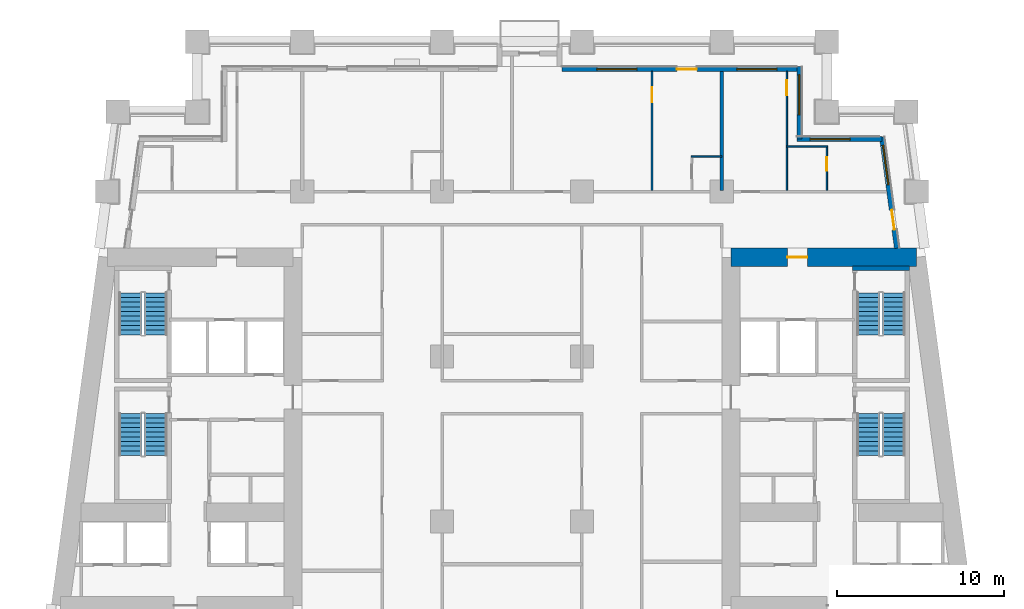
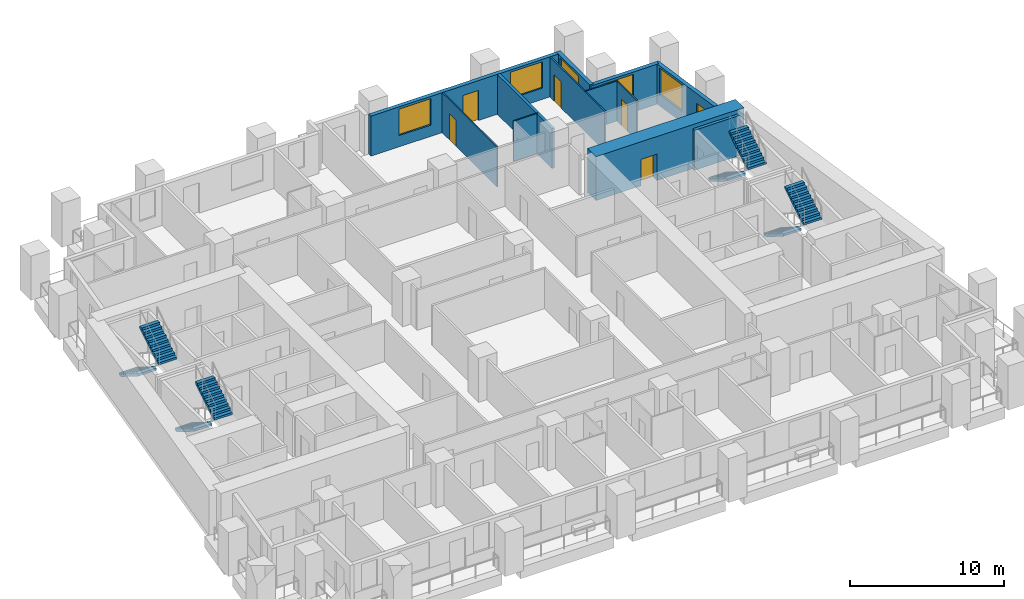
# One storey, part 7 of 12: 12 walls, 8 stair flights, 6 doors, 5 windows, 11 openings, 4 elements without a shape of their own.
"""IFC4 building model written with IfcOpenShell, lengths in metres."""

from ifc_helpers import new_model, si_unit, direction, frame, frame_2d, origin, place, context, subcontext, project, spatial, polyline, rectangle, outline, extrude, material, layer, layer_set, type_object, element, fill, aggregate, save


model = new_model("IFC4")

# Units and contexts
model_context = context("Model", 3, precision=1e-05, world=origin(), true_north=direction((0.0, 1.0)))
body_context = subcontext(model_context, "Body", "Model", "MODEL_VIEW")
ifc_project = project(units=[si_unit("LENGTHUNIT", "METRE"), si_unit("AREAUNIT", "SQUARE_METRE"), si_unit("VOLUMEUNIT", "CUBIC_METRE"), si_unit("PLANEANGLEUNIT", "RADIAN"), si_unit("MASSUNIT", "GRAM", prefix="KILO")], contexts=[model_context])

# Site, building, storey
site_placement = place(None, origin())
site = spatial("IfcSite", under=ifc_project, at=site_placement, CompositionType="ELEMENT")
building_placement = place(site_placement, origin())
building = spatial("IfcBuilding", under=site, at=building_placement, Name="Candeia Pilgrim Tower and Theatre", CompositionType="ELEMENT")
storey_placement = place(building_placement, frame((0.0, 0.0, 42.5)))
storey = spatial("IfcBuildingStorey", under=building, at=storey_placement, Name="L07", CompositionType="ELEMENT", Elevation=42.5)

# Wall, opening, door
ifc_material_1 = material(Name="Concrete C80/95", Category="concrete")
ifc_layer_1 = layer(ifc_material_1, 1.10009765625)
ifc_layer_set_1 = layer_set([ifc_layer_1], Name="Core wall 1100 C80/95")
wall_type_1 = type_object("IfcWallType", Name="Core wall 1100 C80/95", PredefinedType="SHEAR", material=ifc_layer_set_1)
wall_1_placement = place(storey_placement, frame((126.550048828125, 131.85009765625, 0.0), z_axis=(0.0, 0.0, 1.0), x_axis=(1.0, 0.0, 0.0)))
wall_1 = element("IfcWall", 1, at=wall_1_placement, inside=storey, type_object=wall_type_1, Name="Core wall E1", PredefinedType="SHEAR", context=body_context, shape_type="SweptSolid", body=[
    extrude(rectangle(XDim=11.13818359375, YDim=1.10009765625, at=frame_2d((5.569091796875, 0.0))), origin(), (0.0, 0.0, 1.0), 3.5),
])
opening_1_placement = place(wall_1_placement, frame((3.386474609375, 0.0, 0.0)))
opening_1 = element("IfcOpeningElement", 2, at=opening_1_placement, cuts=wall_1, Name="Opening L07-D059", PredefinedType="OPENING", context=body_context, shape_type="SweptSolid", body=[
    extrude(rectangle(XDim=1.199951171875, YDim=2.10009765625, at=frame_2d((0.60009765625, 1.050048828125))), frame((0.0, 0.56005859375, 0.0), z_axis=(0.0, -1.0, 0.0), x_axis=(1.0, 0.0, 0.0)), (0.0, 0.0, 1.0), 1.1201171875),
])
ifc_material_2 = material(Name="Steel fire door set", Category="steel")
door_type_1 = type_object("IfcDoorType", Name="D-1200-FD60", OperationType="NOTDEFINED", PredefinedType="DOOR", material=ifc_material_2)
door_1_placement = place(opening_1_placement, origin())
door_1 = element("IfcDoor", 3, at=door_1_placement, inside=storey, type_object=door_type_1, Name="Door L07-D059", OperationType="SINGLE_SWING_RIGHT", OverallHeight=2.10009765625, OverallWidth=1.199951171875, PredefinedType="DOOR", context=body_context, shape_type="SweptSolid", body=[
    extrude(rectangle(XDim=1.199951171875, YDim=2.10009765625, at=frame_2d((0.60009765625, 1.050048828125))), frame((0.0, 0.02490234375, 0.0), z_axis=(0.0, -1.0, 0.0), x_axis=(1.0, 0.0, 0.0)), (0.0, 0.0, 1.0), 0.050048828125),
])
fill(opening_1, door_1)

# Wall, openings, door, window
ifc_material_3 = material(Name="Ceramic block masonry", Category="masonry")
ifc_layer_2 = layer(ifc_material_3, 0.300048828125)
ifc_layer_set_2 = layer_set([ifc_layer_2], Name="EW1 glazing-line wall 300")
wall_type_2 = type_object("IfcWallType", Name="EW1 glazing-line wall 300", PredefinedType="SOLIDWALL", material=ifc_layer_set_2)
wall_2_placement = place(storey_placement, frame((136.50439453125, 132.39990234375, 0.0), z_axis=(0.0, 0.0, 1.0), x_axis=(-0.133399697462, 0.99106231929, 0.0)))
wall_2 = element("IfcWall", 4, at=wall_2_placement, inside=storey, type_object=wall_type_2, Name="External wall L07-3.1", PredefinedType="SOLIDWALL", context=body_context, shape_type="SweptSolid", body=[
    extrude(rectangle(XDim=6.740478515625, YDim=0.300048828125, at=frame_2d((3.3701171875, 0.0))), origin(), (0.0, 0.0, 1.0), 3.179931640625),
])
opening_2_placement = place(wall_2_placement, frame((1.115234375, 0.0, 0.0)))
opening_2 = element("IfcOpeningElement", 5, at=opening_2_placement, cuts=wall_2, Name="Opening L07-ED094", PredefinedType="OPENING", context=body_context, shape_type="SweptSolid", body=[
    extrude(rectangle(XDim=1.199951171875, YDim=2.39990234375, at=frame_2d((0.60009765625, 1.199951171875))), frame((0.0, 0.16015625, 0.0), z_axis=(0.0, -1.0, 0.0), x_axis=(1.0, 0.0, 0.0)), (0.0, 0.0, 1.0), 0.320068359375),
])
opening_3_placement = place(wall_2_placement, frame((3.83544921875, 0.0, 0.89990234375)))
opening_3 = element("IfcOpeningElement", 6, at=opening_3_placement, cuts=wall_2, Name="Opening W-A", PredefinedType="OPENING", context=body_context, shape_type="SweptSolid", body=[
    extrude(rectangle(XDim=2.39990234375, YDim=2.10009765625, at=frame_2d((1.199951171875, 1.050048828125))), frame((0.0, 0.16015625, 0.0), z_axis=(0.0, -1.0, 0.0), x_axis=(1.0, 0.0, 0.0)), (0.0, 0.0, 1.0), 0.320068359375),
])
ifc_material_4 = material(Name="Aluminium framed glazed door", Category="aluminium")
door_type_2 = type_object("IfcDoorType", Name="Loggia door 1200x2400", OperationType="DOUBLE_DOOR_SINGLE_SWING", PredefinedType="DOOR", material=ifc_material_4)
door_2_placement = place(opening_2_placement, origin())
door_2 = element("IfcDoor", 7, at=door_2_placement, inside=storey, type_object=door_type_2, Name="Loggia door L07-ED094", OperationType="DOUBLE_DOOR_SINGLE_SWING", OverallHeight=2.39990234375, OverallWidth=1.199951171875, PredefinedType="DOOR", context=body_context, shape_type="SweptSolid", body=[
    extrude(rectangle(XDim=1.199951171875, YDim=2.39990234375, at=frame_2d((0.60009765625, 1.199951171875))), frame((0.0, 0.02490234375, 0.0), z_axis=(0.0, -1.0, 0.0), x_axis=(1.0, 0.0, 0.0)), (0.0, 0.0, 1.0), 0.050048828125),
])
fill(opening_2, door_2)
ifc_material_5 = material(Name="Aluminium framed double glazing", Category="aluminium")
window_type = type_object("IfcWindowType", Name="W-A window 2400x2100", PartitioningType="DOUBLE_PANEL_VERTICAL", PredefinedType="WINDOW", material=ifc_material_5)
window_1_placement = place(opening_3_placement, origin())
window_1 = element("IfcWindow", 8, at=window_1_placement, inside=storey, type_object=window_type, Name="Window W-A L07", OverallHeight=2.10009765625, OverallWidth=2.39990234375, PartitioningType="SINGLE_PANEL", PredefinedType="WINDOW", context=body_context, shape_type="SweptSolid", body=[
    extrude(rectangle(XDim=2.39990234375, YDim=2.10009765625, at=frame_2d((1.199951171875, 1.050048828125))), frame((0.0, 0.030029296875, 0.0), z_axis=(0.0, -1.0, 0.0), x_axis=(1.0, 0.0, 0.0)), (0.0, 0.0, 1.0), 0.06005859375),
])
fill(opening_3, window_1)

# Wall, opening, window
wall_3_placement = place(storey_placement, frame((135.62255859375, 138.949951171875, 0.0), z_axis=(0.0, 0.0, 1.0), x_axis=(-1.0, 0.0, 0.0)))
wall_3 = element("IfcWall", 9, at=wall_3_placement, inside=storey, type_object=wall_type_2, Name="External wall L07-4.0", PredefinedType="SOLIDWALL", context=body_context, shape_type="SweptSolid", body=[
    extrude(rectangle(XDim=5.12255859375, YDim=0.300048828125, at=frame_2d((2.561279296875, 0.0))), origin(), (0.0, 0.0, 1.0), 3.179931640625),
])
opening_4_placement = place(wall_3_placement, frame((1.922607421875, 0.0, 0.89990234375)))
opening_4 = element("IfcOpeningElement", 10, at=opening_4_placement, cuts=wall_3, Name="Opening W-A", PredefinedType="OPENING", context=body_context, shape_type="SweptSolid", body=[
    extrude(rectangle(XDim=2.39990234375, YDim=2.10009765625, at=frame_2d((1.199951171875, 1.050048828125))), frame((0.0, 0.16015625, 0.0), z_axis=(0.0, -1.0, 0.0), x_axis=(1.0, 0.0, 0.0)), (0.0, 0.0, 1.0), 0.320068359375),
])
window_2_placement = place(opening_4_placement, origin())
window_2 = element("IfcWindow", 11, at=window_2_placement, inside=storey, type_object=window_type, Name="Window W-A L07", OverallHeight=2.10009765625, OverallWidth=2.39990234375, PartitioningType="SINGLE_PANEL", PredefinedType="WINDOW", context=body_context, shape_type="SweptSolid", body=[
    extrude(rectangle(XDim=2.39990234375, YDim=2.10009765625, at=frame_2d((1.199951171875, 1.050048828125))), frame((0.0, 0.030029296875, 0.0), z_axis=(0.0, -1.0, 0.0), x_axis=(1.0, 0.0, 0.0)), (0.0, 0.0, 1.0), 0.06005859375),
])
fill(opening_4, window_2)

wall_4_placement = place(storey_placement, frame((130.64990234375, 138.949951171875, 0.0), z_axis=(0.0, 0.0, 1.0), x_axis=(0.0, 1.0, 0.0)))
wall_4 = element("IfcWall", 12, at=wall_4_placement, inside=storey, type_object=wall_type_2, Name="External wall L07-5.0", PredefinedType="SOLIDWALL", context=body_context, shape_type="SweptSolid", body=[
    extrude(rectangle(XDim=4.35009765625, YDim=0.300048828125, at=frame_2d((2.175048828125, 0.0))), origin(), (0.0, 0.0, 1.0), 3.179931640625),
])
opening_5_placement = place(wall_4_placement, frame((1.449951171875, 0.0, 0.89990234375)))
opening_5 = element("IfcOpeningElement", 13, at=opening_5_placement, cuts=wall_4, Name="Opening W-A", PredefinedType="OPENING", context=body_context, shape_type="SweptSolid", body=[
    extrude(rectangle(XDim=2.39990234375, YDim=2.10009765625, at=frame_2d((1.199951171875, 1.050048828125))), frame((0.0, 0.16015625, 0.0), z_axis=(0.0, -1.0, 0.0), x_axis=(1.0, 0.0, 0.0)), (0.0, 0.0, 1.0), 0.320068359375),
])
window_3_placement = place(opening_5_placement, origin())
window_3 = element("IfcWindow", 14, at=window_3_placement, inside=storey, type_object=window_type, Name="Window W-A L07", OverallHeight=2.10009765625, OverallWidth=2.39990234375, PartitioningType="SINGLE_PANEL", PredefinedType="WINDOW", context=body_context, shape_type="SweptSolid", body=[
    extrude(rectangle(XDim=2.39990234375, YDim=2.10009765625, at=frame_2d((1.199951171875, 1.050048828125))), frame((0.0, 0.030029296875, 0.0), z_axis=(0.0, -1.0, 0.0), x_axis=(1.0, 0.0, 0.0)), (0.0, 0.0, 1.0), 0.06005859375),
])
fill(opening_5, window_3)

# Wall, openings, door, windows
wall_5_placement = place(storey_placement, frame((130.64990234375, 143.14990234375, 0.0), z_axis=(0.0, 0.0, 1.0), x_axis=(-1.0, 0.0, 0.0)))
wall_5 = element("IfcWall", 15, at=wall_5_placement, inside=storey, type_object=wall_type_2, Name="External wall L07-6.0", PredefinedType="SOLIDWALL", context=body_context, shape_type="SweptSolid", body=[
    extrude(rectangle(XDim=14.25, YDim=0.300048828125, at=frame_2d((7.125, 0.0))), origin(), (0.0, 0.0, 1.0), 3.179931640625),
])
opening_6_placement = place(wall_5_placement, frame((1.35009765625, 0.0, 0.89990234375)))
opening_6 = element("IfcOpeningElement", 16, at=opening_6_placement, cuts=wall_5, Name="Opening W-A", PredefinedType="OPENING", context=body_context, shape_type="SweptSolid", body=[
    extrude(rectangle(XDim=2.39990234375, YDim=2.10009765625, at=frame_2d((1.199951171875, 1.050048828125))), frame((0.0, 0.16015625, 0.0), z_axis=(0.0, -1.0, 0.0), x_axis=(1.0, 0.0, 0.0)), (0.0, 0.0, 1.0), 0.320068359375),
])
opening_7_placement = place(wall_5_placement, frame((6.14990234375, 0.0, 0.0)))
opening_7 = element("IfcOpeningElement", 17, at=opening_7_placement, cuts=wall_5, Name="Opening L07-ED095", PredefinedType="OPENING", context=body_context, shape_type="SweptSolid", body=[
    extrude(rectangle(XDim=1.199951171875, YDim=2.39990234375, at=frame_2d((0.60009765625, 1.199951171875))), frame((0.0, 0.16015625, 0.0), z_axis=(0.0, -1.0, 0.0), x_axis=(1.0, 0.0, 0.0)), (0.0, 0.0, 1.0), 0.320068359375),
])
opening_8_placement = place(wall_5_placement, frame((9.75, 0.0, 0.89990234375)))
opening_8 = element("IfcOpeningElement", 18, at=opening_8_placement, cuts=wall_5, Name="Opening W-A", PredefinedType="OPENING", context=body_context, shape_type="SweptSolid", body=[
    extrude(rectangle(XDim=2.39990234375, YDim=2.10009765625, at=frame_2d((1.199951171875, 1.050048828125))), frame((0.0, 0.16015625, 0.0), z_axis=(0.0, -1.0, 0.0), x_axis=(1.0, 0.0, 0.0)), (0.0, 0.0, 1.0), 0.320068359375),
])
door_3_placement = place(opening_7_placement, origin())
door_3 = element("IfcDoor", 19, at=door_3_placement, inside=storey, type_object=door_type_2, Name="Loggia door L07-ED095", OperationType="DOUBLE_DOOR_SINGLE_SWING", OverallHeight=2.39990234375, OverallWidth=1.199951171875, PredefinedType="DOOR", context=body_context, shape_type="SweptSolid", body=[
    extrude(rectangle(XDim=1.199951171875, YDim=2.39990234375, at=frame_2d((0.60009765625, 1.199951171875))), frame((0.0, 0.02490234375, 0.0), z_axis=(0.0, -1.0, 0.0), x_axis=(1.0, 0.0, 0.0)), (0.0, 0.0, 1.0), 0.050048828125),
])
fill(opening_7, door_3)
window_4_placement = place(opening_6_placement, origin())
window_4 = element("IfcWindow", 20, at=window_4_placement, inside=storey, type_object=window_type, Name="Window W-A L07", OverallHeight=2.10009765625, OverallWidth=2.39990234375, PartitioningType="SINGLE_PANEL", PredefinedType="WINDOW", context=body_context, shape_type="SweptSolid", body=[
    extrude(rectangle(XDim=2.39990234375, YDim=2.10009765625, at=frame_2d((1.199951171875, 1.050048828125))), frame((0.0, 0.030029296875, 0.0), z_axis=(0.0, -1.0, 0.0), x_axis=(1.0, 0.0, 0.0)), (0.0, 0.0, 1.0), 0.06005859375),
])
fill(opening_6, window_4)
window_5_placement = place(opening_8_placement, origin())
window_5 = element("IfcWindow", 21, at=window_5_placement, inside=storey, type_object=window_type, Name="Window W-A L07", OverallHeight=2.10009765625, OverallWidth=2.39990234375, PartitioningType="SINGLE_PANEL", PredefinedType="WINDOW", context=body_context, shape_type="SweptSolid", body=[
    extrude(rectangle(XDim=2.39990234375, YDim=2.10009765625, at=frame_2d((1.199951171875, 1.050048828125))), frame((0.0, 0.030029296875, 0.0), z_axis=(0.0, -1.0, 0.0), x_axis=(1.0, 0.0, 0.0)), (0.0, 0.0, 1.0), 0.06005859375),
])
fill(opening_8, window_5)

# Walls
ifc_material_6 = material(Name="Gypsum board partition on steel studs", Category="steel")
ifc_layer_3 = layer(ifc_material_6, 0.10009765625)
ifc_layer_set_3 = layer_set([ifc_layer_3], Name="PW-100 room partition")
wall_type_3 = type_object("IfcWallType", Name="PW-100 room partition", PredefinedType="PARTITIONING", material=ifc_layer_set_3)
wall_6_placement = place(storey_placement, frame((124.14990234375, 137.89990234375, 0.0), z_axis=(0.0, 0.0, 1.0), x_axis=(1.0, 0.0, 0.0)))
element("IfcWall", 22, at=wall_6_placement, inside=storey, type_object=wall_type_3, Name="Room partition L07-047", PredefinedType="PARTITIONING", context=body_context, shape_type="SweptSolid", body=[
    extrude(rectangle(XDim=1.85009765625, YDim=0.10009765625, at=frame_2d((0.925048828125, 0.0))), origin(), (0.0, 0.0, 1.0), 3.179931640625),
])
wall_7_placement = place(storey_placement, frame((129.89990234375, 138.5, 0.0), z_axis=(0.0, 0.0, 1.0), x_axis=(1.0, 0.0, 0.0)))
element("IfcWall", 23, at=wall_7_placement, inside=storey, type_object=wall_type_3, Name="Room partition L07-050", PredefinedType="PARTITIONING", context=body_context, shape_type="SweptSolid", body=[
    extrude(rectangle(XDim=2.4501953125, YDim=0.10009765625, at=frame_2d((1.22509765625, 0.0))), origin(), (0.0, 0.0, 1.0), 3.179931640625),
])

# Wall, opening, door
wall_8_placement = place(storey_placement, frame((121.800048828125, 135.875, 0.0), z_axis=(0.0, 0.0, 1.0), x_axis=(0.0, 1.0, 0.0)))
wall_8 = element("IfcWall", 24, at=wall_8_placement, inside=storey, type_object=wall_type_3, Name="Room partition L07-094", PredefinedType="PARTITIONING", context=body_context, shape_type="SweptSolid", body=[
    extrude(rectangle(XDim=7.135009765625, YDim=0.10009765625, at=frame_2d((3.5673828125, 0.0))), origin(), (0.0, 0.0, 1.0), 3.179931640625),
])
opening_9_placement = place(wall_8_placement, frame((5.2900390625, 0.0, 0.0)))
opening_9 = element("IfcOpeningElement", 25, at=opening_9_placement, cuts=wall_8, Name="Opening L07-D038", PredefinedType="OPENING", context=body_context, shape_type="SweptSolid", body=[
    extrude(rectangle(XDim=0.89990234375, YDim=2.10009765625, at=frame_2d((0.449951171875, 1.050048828125))), frame((0.0, 0.06005859375, 0.0), z_axis=(0.0, -1.0, 0.0), x_axis=(1.0, 0.0, 0.0)), (0.0, 0.0, 1.0), 0.1201171875),
])
ifc_material_7 = material(Name="Timber door leaf", Category="wood")
door_type_3 = type_object("IfcDoorType", Name="D-900", OperationType="NOTDEFINED", PredefinedType="DOOR", material=ifc_material_7)
door_4_placement = place(opening_9_placement, origin())
door_4 = element("IfcDoor", 26, at=door_4_placement, inside=storey, type_object=door_type_3, Name="Door L07-D038", OperationType="SINGLE_SWING_LEFT", OverallHeight=2.10009765625, OverallWidth=0.89990234375, PredefinedType="DOOR", context=body_context, shape_type="SweptSolid", body=[
    extrude(rectangle(XDim=0.89990234375, YDim=2.10009765625, at=frame_2d((0.449951171875, 1.050048828125))), frame((0.0, 0.02490234375, 0.0), z_axis=(0.0, -1.0, 0.0), x_axis=(1.0, 0.0, 0.0)), (0.0, 0.0, 1.0), 0.050048828125),
])
fill(opening_9, door_4)

wall_9_placement = place(storey_placement, frame((129.89990234375, 135.875, 0.0), z_axis=(0.0, 0.0, 1.0), x_axis=(0.0, 1.0, 0.0)))
wall_9 = element("IfcWall", 27, at=wall_9_placement, inside=storey, type_object=wall_type_3, Name="Room partition L07-103", PredefinedType="PARTITIONING", context=body_context, shape_type="SweptSolid", body=[
    extrude(rectangle(XDim=7.135009765625, YDim=0.10009765625, at=frame_2d((3.5673828125, 0.0))), origin(), (0.0, 0.0, 1.0), 3.179931640625),
])
opening_10_placement = place(wall_9_placement, frame((5.695068359375, 0.0, 0.0)))
opening_10 = element("IfcOpeningElement", 28, at=opening_10_placement, cuts=wall_9, Name="Opening L07-D041", PredefinedType="OPENING", context=body_context, shape_type="SweptSolid", body=[
    extrude(rectangle(XDim=0.89990234375, YDim=2.10009765625, at=frame_2d((0.449951171875, 1.050048828125))), frame((0.0, 0.06005859375, 0.0), z_axis=(0.0, -1.0, 0.0), x_axis=(1.0, 0.0, 0.0)), (0.0, 0.0, 1.0), 0.1201171875),
])
door_5_placement = place(opening_10_placement, origin())
door_5 = element("IfcDoor", 29, at=door_5_placement, inside=storey, type_object=door_type_3, Name="Door L07-D041", OperationType="SINGLE_SWING_RIGHT", OverallHeight=2.10009765625, OverallWidth=0.89990234375, PredefinedType="DOOR", context=body_context, shape_type="SweptSolid", body=[
    extrude(rectangle(XDim=0.89990234375, YDim=2.10009765625, at=frame_2d((0.449951171875, 1.050048828125))), frame((0.0, 0.02490234375, 0.0), z_axis=(0.0, -1.0, 0.0), x_axis=(1.0, 0.0, 0.0)), (0.0, 0.0, 1.0), 0.050048828125),
])
fill(opening_10, door_5)

wall_10_placement = place(storey_placement, frame((132.300048828125, 135.875, 0.0), z_axis=(0.0, 0.0, 1.0), x_axis=(0.0, 1.0, 0.0)))
wall_10 = element("IfcWall", 30, at=wall_10_placement, inside=storey, type_object=wall_type_3, Name="Room partition L07-110", PredefinedType="PARTITIONING", context=body_context, shape_type="SweptSolid", body=[
    extrude(rectangle(XDim=2.574951171875, YDim=0.10009765625, at=frame_2d((1.28759765625, 0.0))), origin(), (0.0, 0.0, 1.0), 3.179931640625),
])
opening_11_placement = place(wall_10_placement, frame((1.175048828125, 0.0, 0.0)))
opening_11 = element("IfcOpeningElement", 31, at=opening_11_placement, cuts=wall_10, Name="Opening L07-D042", PredefinedType="OPENING", context=body_context, shape_type="SweptSolid", body=[
    extrude(rectangle(XDim=0.800048828125, YDim=2.10009765625, at=frame_2d((0.39990234375, 1.050048828125))), frame((0.0, 0.06005859375, 0.0), z_axis=(0.0, -1.0, 0.0), x_axis=(1.0, 0.0, 0.0)), (0.0, 0.0, 1.0), 0.1201171875),
])
door_type_4 = type_object("IfcDoorType", Name="D-800", OperationType="NOTDEFINED", PredefinedType="DOOR", material=ifc_material_7)
door_6_placement = place(opening_11_placement, origin())
door_6 = element("IfcDoor", 32, at=door_6_placement, inside=storey, type_object=door_type_4, Name="Door L07-D042", OperationType="SINGLE_SWING_LEFT", OverallHeight=2.10009765625, OverallWidth=0.800048828125, PredefinedType="DOOR", context=body_context, shape_type="SweptSolid", body=[
    extrude(rectangle(XDim=0.800048828125, YDim=2.10009765625, at=frame_2d((0.39990234375, 1.050048828125))), frame((0.0, 0.02490234375, 0.0), z_axis=(0.0, -1.0, 0.0), x_axis=(1.0, 0.0, 0.0)), (0.0, 0.0, 1.0), 0.050048828125),
])
fill(opening_11, door_6)

# Walls
ifc_layer_4 = layer(ifc_material_6, 0.199951171875)
ifc_layer_set_4 = layer_set([ifc_layer_4], Name="PW-200 party wall")
wall_type_4 = type_object("IfcWallType", Name="PW-200 party wall", PredefinedType="PARTITIONING", material=ifc_layer_set_4)
wall_11_placement = place(storey_placement, frame((126.0, 135.875, 0.0), z_axis=(0.0, 0.0, 1.0), x_axis=(0.0, 1.0, 0.0)))
element("IfcWall", 33, at=wall_11_placement, inside=storey, type_object=wall_type_4, Name="Party wall L07-098", PredefinedType="PARTITIONING", context=body_context, shape_type="SweptSolid", body=[
    extrude(rectangle(XDim=7.135009765625, YDim=0.199951171875, at=frame_2d((3.5673828125, 0.0))), origin(), (0.0, 0.0, 1.0), 3.179931640625),
])
ifc_material_8 = material(Name="Concrete C40/50", Category="concrete")
ifc_layer_5 = layer(ifc_material_8, 0.25)
ifc_layer_set_5 = layer_set([ifc_layer_5], Name="SW-250 stair wall")
wall_type_5 = type_object("IfcWallType", Name="SW-250 stair wall", PredefinedType="PARTITIONING", material=ifc_layer_set_5)
wall_12_placement = place(storey_placement, frame((133.847900390625, 131.199951171875, 0.0), z_axis=(0.0, 0.0, 1.0), x_axis=(1.0, 0.0, 0.0)))
element("IfcWall", 34, at=wall_12_placement, inside=storey, type_object=wall_type_5, Name="Stair wall L07-044", PredefinedType="PARTITIONING", context=body_context, shape_type="SweptSolid", body=[
    extrude(rectangle(XDim=3.400146484375, YDim=0.25, at=frame_2d((1.7001953125, 0.0))), origin(), (0.0, 0.0, 1.0), 3.179931640625),
])

# Stair, stair flights
stair_type = type_object("IfcStairType", Name="ST-TWR dog-leg escape stair", PredefinedType="HALF_TURN_STAIR", material=ifc_material_8)
stair_1_placement = place(storey_placement, origin())
stair_1 = element("IfcStair", 35, at=stair_1_placement, inside=storey, type_object=stair_type, Name="L07 Escape stair ST1", PredefinedType="HALF_TURN_STAIR")
stair_flight_type = type_object("IfcStairFlightType", Name="SFL-RC stair flight", PredefinedType="STRAIGHT", material=ifc_material_8)
stair_flight_1_placement = place(storey_placement, frame((90.47705078125, 122.47509765625, 0.0), z_axis=(0.0, 0.0, 1.0), x_axis=(0.0, -1.0, 0.0)))
stair_flight_1 = element("IfcStairFlight", 36, at=stair_flight_1_placement, type_object=stair_flight_type, Name="ST1 flight 1", NumberOfRisers=10, NumberOfTreads=9, PredefinedType="STRAIGHT", RiserHeight=0.175, TreadLength=0.28, context=body_context, shape_type="SweptSolid", body=[
    extrude(outline(polyline([(0.0, 0.0), (0.0, 0.175048828125), (0.280029296875, 0.175048828125), (0.280029296875, 0.35009765625), (0.56005859375, 0.35009765625), (0.56005859375, 0.52490234375), (0.840087890625, 0.52490234375), (0.840087890625, 0.699951171875), (1.1201171875, 0.699951171875), (1.1201171875, 0.875), (1.39990234375, 0.875), (1.39990234375, 1.050048828125), (1.679931640625, 1.050048828125), (1.679931640625, 1.22509765625), (1.9599609375, 1.22509765625), (1.9599609375, 1.39990234375), (2.239990234375, 1.39990234375), (2.239990234375, 1.574951171875), (2.52001953125, 1.574951171875), (2.52001953125, 1.75), (2.52001953125, 1.398193359375), (0.28271484375, 0.0), (0.0, 0.0)])), frame((0.0, 0.675048828125, 0.0), z_axis=(0.0, -1.0, 0.0), x_axis=(1.0, 0.0, 0.0)), (0.0, 0.0, 1.0), 1.35009765625),
])
stair_flight_2_placement = place(storey_placement, frame((92.027099609375, 119.955078125, 1.75), z_axis=(0.0, 0.0, 1.0), x_axis=(0.0, 1.0, 0.0)))
stair_flight_2 = element("IfcStairFlight", 37, at=stair_flight_2_placement, type_object=stair_flight_type, Name="ST1 flight 2", NumberOfRisers=10, NumberOfTreads=9, PredefinedType="STRAIGHT", RiserHeight=0.175, TreadLength=0.28, context=body_context, shape_type="SweptSolid", body=[
    extrude(outline(polyline([(0.0, 0.0), (0.0, 0.175048828125), (0.280029296875, 0.175048828125), (0.280029296875, 0.35009765625), (0.56005859375, 0.35009765625), (0.56005859375, 0.52490234375), (0.840087890625, 0.52490234375), (0.840087890625, 0.699951171875), (1.1201171875, 0.699951171875), (1.1201171875, 0.875), (1.39990234375, 0.875), (1.39990234375, 1.050048828125), (1.679931640625, 1.050048828125), (1.679931640625, 1.22509765625), (1.9599609375, 1.22509765625), (1.9599609375, 1.39990234375), (2.239990234375, 1.39990234375), (2.239990234375, 1.574951171875), (2.52001953125, 1.574951171875), (2.52001953125, 1.75), (2.52001953125, 1.398193359375), (0.28271484375, 0.0), (0.0, 0.0)])), frame((0.0, 0.675048828125, 0.0), z_axis=(0.0, -1.0, 0.0), x_axis=(1.0, 0.0, 0.0)), (0.0, 0.0, 1.0), 1.35009765625),
])
aggregate(stair_1, [stair_flight_1, stair_flight_2])

stair_2_placement = place(storey_placement, origin())
stair_2 = element("IfcStair", 38, at=stair_2_placement, inside=storey, type_object=stair_type, Name="L07 Escape stair ST2", PredefinedType="HALF_TURN_STAIR")
stair_flight_3_placement = place(storey_placement, frame((90.47705078125, 129.72509765625, 0.0), z_axis=(0.0, 0.0, 1.0), x_axis=(0.0, -1.0, 0.0)))
stair_flight_3 = element("IfcStairFlight", 39, at=stair_flight_3_placement, type_object=stair_flight_type, Name="ST2 flight 1", NumberOfRisers=10, NumberOfTreads=9, PredefinedType="STRAIGHT", RiserHeight=0.175, TreadLength=0.28, context=body_context, shape_type="SweptSolid", body=[
    extrude(outline(polyline([(0.0, 0.0), (0.0, 0.175048828125), (0.280029296875, 0.175048828125), (0.280029296875, 0.35009765625), (0.56005859375, 0.35009765625), (0.56005859375, 0.52490234375), (0.840087890625, 0.52490234375), (0.840087890625, 0.699951171875), (1.1201171875, 0.699951171875), (1.1201171875, 0.875), (1.39990234375, 0.875), (1.39990234375, 1.050048828125), (1.679931640625, 1.050048828125), (1.679931640625, 1.22509765625), (1.9599609375, 1.22509765625), (1.9599609375, 1.39990234375), (2.239990234375, 1.39990234375), (2.239990234375, 1.574951171875), (2.52001953125, 1.574951171875), (2.52001953125, 1.75), (2.52001953125, 1.398193359375), (0.28271484375, 0.0), (0.0, 0.0)])), frame((0.0, 0.675048828125, 0.0), z_axis=(0.0, -1.0, 0.0), x_axis=(1.0, 0.0, 0.0)), (0.0, 0.0, 1.0), 1.35009765625),
])
stair_flight_4_placement = place(storey_placement, frame((92.027099609375, 127.205078125, 1.75), z_axis=(0.0, 0.0, 1.0), x_axis=(0.0, 1.0, 0.0)))
stair_flight_4 = element("IfcStairFlight", 40, at=stair_flight_4_placement, type_object=stair_flight_type, Name="ST2 flight 2", NumberOfRisers=10, NumberOfTreads=9, PredefinedType="STRAIGHT", RiserHeight=0.175, TreadLength=0.28, context=body_context, shape_type="SweptSolid", body=[
    extrude(outline(polyline([(0.0, 0.0), (0.0, 0.175048828125), (0.280029296875, 0.175048828125), (0.280029296875, 0.35009765625), (0.56005859375, 0.35009765625), (0.56005859375, 0.52490234375), (0.840087890625, 0.52490234375), (0.840087890625, 0.699951171875), (1.1201171875, 0.699951171875), (1.1201171875, 0.875), (1.39990234375, 0.875), (1.39990234375, 1.050048828125), (1.679931640625, 1.050048828125), (1.679931640625, 1.22509765625), (1.9599609375, 1.22509765625), (1.9599609375, 1.39990234375), (2.239990234375, 1.39990234375), (2.239990234375, 1.574951171875), (2.52001953125, 1.574951171875), (2.52001953125, 1.75), (2.52001953125, 1.398193359375), (0.28271484375, 0.0), (0.0, 0.0)])), frame((0.0, 0.675048828125, 0.0), z_axis=(0.0, -1.0, 0.0), x_axis=(1.0, 0.0, 0.0)), (0.0, 0.0, 1.0), 1.35009765625),
])
aggregate(stair_2, [stair_flight_3, stair_flight_4])

stair_3_placement = place(storey_placement, origin())
stair_3 = element("IfcStair", 41, at=stair_3_placement, inside=storey, type_object=stair_type, Name="L07 Escape stair ST3", PredefinedType="HALF_TURN_STAIR")
stair_flight_5_placement = place(storey_placement, frame((134.77294921875, 122.47509765625, 0.0), z_axis=(0.0, 0.0, 1.0), x_axis=(0.0, -1.0, 0.0)))
stair_flight_5 = element("IfcStairFlight", 42, at=stair_flight_5_placement, type_object=stair_flight_type, Name="ST3 flight 1", NumberOfRisers=10, NumberOfTreads=9, PredefinedType="STRAIGHT", RiserHeight=0.175, TreadLength=0.28, context=body_context, shape_type="SweptSolid", body=[
    extrude(outline(polyline([(0.0, 0.0), (0.0, 0.175048828125), (0.280029296875, 0.175048828125), (0.280029296875, 0.35009765625), (0.56005859375, 0.35009765625), (0.56005859375, 0.52490234375), (0.840087890625, 0.52490234375), (0.840087890625, 0.699951171875), (1.1201171875, 0.699951171875), (1.1201171875, 0.875), (1.39990234375, 0.875), (1.39990234375, 1.050048828125), (1.679931640625, 1.050048828125), (1.679931640625, 1.22509765625), (1.9599609375, 1.22509765625), (1.9599609375, 1.39990234375), (2.239990234375, 1.39990234375), (2.239990234375, 1.574951171875), (2.52001953125, 1.574951171875), (2.52001953125, 1.75), (2.52001953125, 1.398193359375), (0.28271484375, 0.0), (0.0, 0.0)])), frame((0.0, 0.675048828125, 0.0), z_axis=(0.0, -1.0, 0.0), x_axis=(1.0, 0.0, 0.0)), (0.0, 0.0, 1.0), 1.35009765625),
])
stair_flight_6_placement = place(storey_placement, frame((136.322998046875, 119.955078125, 1.75), z_axis=(0.0, 0.0, 1.0), x_axis=(0.0, 1.0, 0.0)))
stair_flight_6 = element("IfcStairFlight", 43, at=stair_flight_6_placement, type_object=stair_flight_type, Name="ST3 flight 2", NumberOfRisers=10, NumberOfTreads=9, PredefinedType="STRAIGHT", RiserHeight=0.175, TreadLength=0.28, context=body_context, shape_type="SweptSolid", body=[
    extrude(outline(polyline([(0.0, 0.0), (0.0, 0.175048828125), (0.280029296875, 0.175048828125), (0.280029296875, 0.35009765625), (0.56005859375, 0.35009765625), (0.56005859375, 0.52490234375), (0.840087890625, 0.52490234375), (0.840087890625, 0.699951171875), (1.1201171875, 0.699951171875), (1.1201171875, 0.875), (1.39990234375, 0.875), (1.39990234375, 1.050048828125), (1.679931640625, 1.050048828125), (1.679931640625, 1.22509765625), (1.9599609375, 1.22509765625), (1.9599609375, 1.39990234375), (2.239990234375, 1.39990234375), (2.239990234375, 1.574951171875), (2.52001953125, 1.574951171875), (2.52001953125, 1.75), (2.52001953125, 1.398193359375), (0.28271484375, 0.0), (0.0, 0.0)])), frame((0.0, 0.675048828125, 0.0), z_axis=(0.0, -1.0, 0.0), x_axis=(1.0, 0.0, 0.0)), (0.0, 0.0, 1.0), 1.35009765625),
])
aggregate(stair_3, [stair_flight_5, stair_flight_6])

stair_4_placement = place(storey_placement, origin())
stair_4 = element("IfcStair", 44, at=stair_4_placement, inside=storey, type_object=stair_type, Name="L07 Escape stair ST4", PredefinedType="HALF_TURN_STAIR")
stair_flight_7_placement = place(storey_placement, frame((134.77294921875, 129.72509765625, 0.0), z_axis=(0.0, 0.0, 1.0), x_axis=(0.0, -1.0, 0.0)))
stair_flight_7 = element("IfcStairFlight", 45, at=stair_flight_7_placement, type_object=stair_flight_type, Name="ST4 flight 1", NumberOfRisers=10, NumberOfTreads=9, PredefinedType="STRAIGHT", RiserHeight=0.175, TreadLength=0.28, context=body_context, shape_type="SweptSolid", body=[
    extrude(outline(polyline([(0.0, 0.0), (0.0, 0.175048828125), (0.280029296875, 0.175048828125), (0.280029296875, 0.35009765625), (0.56005859375, 0.35009765625), (0.56005859375, 0.52490234375), (0.840087890625, 0.52490234375), (0.840087890625, 0.699951171875), (1.1201171875, 0.699951171875), (1.1201171875, 0.875), (1.39990234375, 0.875), (1.39990234375, 1.050048828125), (1.679931640625, 1.050048828125), (1.679931640625, 1.22509765625), (1.9599609375, 1.22509765625), (1.9599609375, 1.39990234375), (2.239990234375, 1.39990234375), (2.239990234375, 1.574951171875), (2.52001953125, 1.574951171875), (2.52001953125, 1.75), (2.52001953125, 1.398193359375), (0.28271484375, 0.0), (0.0, 0.0)])), frame((0.0, 0.675048828125, 0.0), z_axis=(0.0, -1.0, 0.0), x_axis=(1.0, 0.0, 0.0)), (0.0, 0.0, 1.0), 1.35009765625),
])
stair_flight_8_placement = place(storey_placement, frame((136.322998046875, 127.205078125, 1.75), z_axis=(0.0, 0.0, 1.0), x_axis=(0.0, 1.0, 0.0)))
stair_flight_8 = element("IfcStairFlight", 46, at=stair_flight_8_placement, type_object=stair_flight_type, Name="ST4 flight 2", NumberOfRisers=10, NumberOfTreads=9, PredefinedType="STRAIGHT", RiserHeight=0.175, TreadLength=0.28, context=body_context, shape_type="SweptSolid", body=[
    extrude(outline(polyline([(0.0, 0.0), (0.0, 0.175048828125), (0.280029296875, 0.175048828125), (0.280029296875, 0.35009765625), (0.56005859375, 0.35009765625), (0.56005859375, 0.52490234375), (0.840087890625, 0.52490234375), (0.840087890625, 0.699951171875), (1.1201171875, 0.699951171875), (1.1201171875, 0.875), (1.39990234375, 0.875), (1.39990234375, 1.050048828125), (1.679931640625, 1.050048828125), (1.679931640625, 1.22509765625), (1.9599609375, 1.22509765625), (1.9599609375, 1.39990234375), (2.239990234375, 1.39990234375), (2.239990234375, 1.574951171875), (2.52001953125, 1.574951171875), (2.52001953125, 1.75), (2.52001953125, 1.398193359375), (0.28271484375, 0.0), (0.0, 0.0)])), frame((0.0, 0.675048828125, 0.0), z_axis=(0.0, -1.0, 0.0), x_axis=(1.0, 0.0, 0.0)), (0.0, 0.0, 1.0), 1.35009765625),
])
aggregate(stair_4, [stair_flight_7, stair_flight_8])

save(model, "model.ifc")
